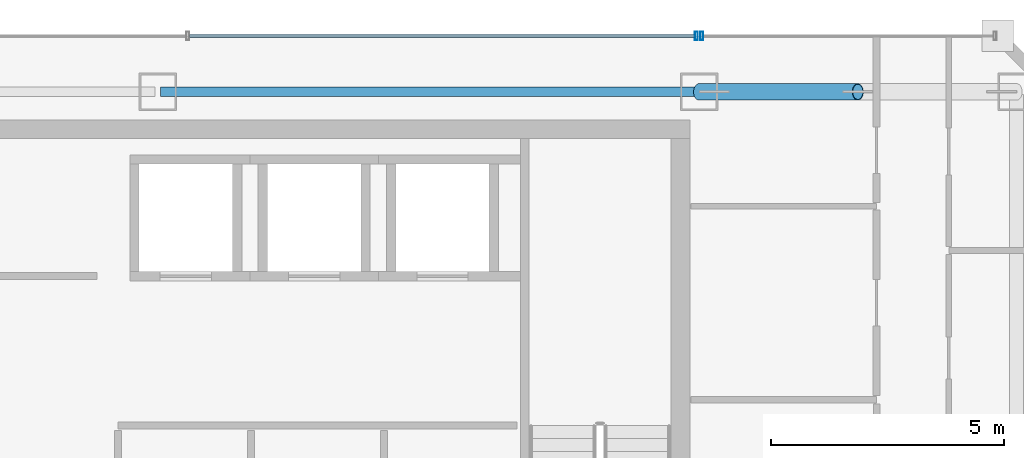
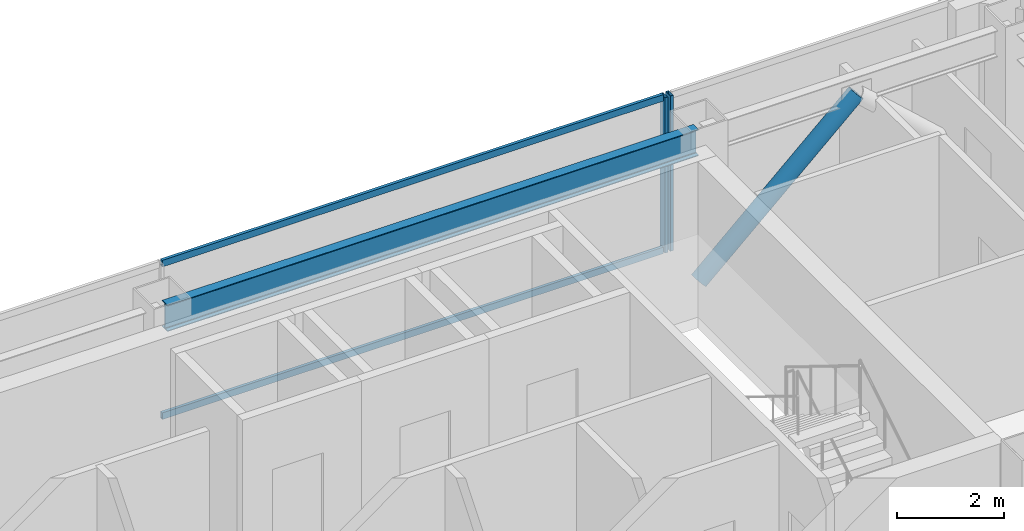
# One storey, part 22 of 33: 5 members, 1 beam, 2 elements without a shape of their own.
"""IFC4 building model written with IfcOpenShell, lengths in metres."""

from ifc_helpers import new_model, si_unit, direction, frame, origin, origin_2d, place, context, subcontext, project, spatial, hollow_rectangle, hollow_circle, i_section, extrude, material, material_profile, profile_set, type_object, element, aggregate, save


model = new_model("IFC4")

# Units and contexts
model_context = context("Model", 3, precision=1e-05, world=origin(), true_north=direction((0.0, 1.0)))
body_context = subcontext(model_context, "Body", "Model", "MODEL_VIEW")
ifc_project = project(units=[si_unit("LENGTHUNIT", "METRE"), si_unit("AREAUNIT", "SQUARE_METRE"), si_unit("VOLUMEUNIT", "CUBIC_METRE"), si_unit("PLANEANGLEUNIT", "RADIAN"), si_unit("MASSUNIT", "GRAM", prefix="KILO")], contexts=[model_context])

# Site, building, storey
site_placement = place(None, origin())
site = spatial("IfcSite", under=ifc_project, at=site_placement, CompositionType="ELEMENT")
building_placement = place(site_placement, origin())
building = spatial("IfcBuilding", under=site, at=building_placement, Name="Saevonmaru Cultural Tower", CompositionType="ELEMENT")
storey_placement = place(building_placement, frame((0.0, 0.0, 234.39990234375)))
storey = spatial("IfcBuildingStorey", under=building, at=storey_placement, Name="L54", CompositionType="ELEMENT", Elevation=234.39990234375)

# Beam
ifc_material_1 = material(Name="Steel SM355", Category="steel")
ifc_material_profile_1 = material_profile(ifc_material_1, i_section(OverallWidth=0.199951171875, OverallDepth=0.60009765625, WebThickness=0.010986328125, FlangeThickness=0.01708984375, FilletRadius=0.02197265625, at=origin_2d()), Name="H-600x200x11x17")
ifc_profile_set_1 = profile_set([ifc_material_profile_1], Name="Steel SM355")
beam_type = type_object("IfcBeamType", Name="BM-SP-H600", PredefinedType="SPANDREL", material=ifc_profile_set_1)
beam_placement = place(storey_placement, frame((34.860107421875, 54.800048828125, 3.25), z_axis=(1.0, 0.0, 0.0), x_axis=(0.0, 1.0, 0.0)))
element("IfcBeam", 1, at=beam_placement, inside=storey, type_object=beam_type, Name="L54 North Spine Girder 4", PredefinedType="SPANDREL", context=body_context, shape_type="SweptSolid", body=[
    extrude(i_section(OverallWidth=0.199951171875, OverallDepth=0.60009765625, WebThickness=0.010986328125, FlangeThickness=0.01708984375, FilletRadius=0.02197265625, at=origin_2d()), origin(), (0.0, 0.0, 1.0), 11.47998046875),
])

# Member
ifc_material_profile_2 = material_profile(ifc_material_1, hollow_circle(Radius=0.177734375, WallThickness=0.01611328125, at=origin_2d()), Name="CHS-355.6x16")
ifc_profile_set_2 = profile_set([ifc_material_profile_2], Name="Steel SM355")
member_type_1 = type_object("IfcMemberType", Name="MB-PBR-CHS356", PredefinedType="BRACE", material=ifc_profile_set_2)
member_1_placement = place(storey_placement, frame((46.39990234375, 54.800048828125, 0.02001953125), z_axis=(0.738959728749, 0.0, 0.673749596873), x_axis=(0.0, 1.0, 0.0)))
element("IfcMember", 2, at=member_1_placement, inside=storey, type_object=member_type_1, Name="L54 Perimeter Braced-Tube Diagonal EN1", PredefinedType="BRACE", context=body_context, shape_type="SweptSolid", body=[
    extrude(hollow_circle(Radius=0.177734375, WallThickness=0.01611328125, at=origin_2d()), origin(), (0.0, 0.0, 1.0), 4.601318359375),
])

# Curtain wall, member
ifc_material_2 = material(Name="Satin Bronze Anodised Aluminium", Category="aluminium")
curtain_wall_type = type_object("IfcCurtainWallType", Name="CW-TYP-B", PredefinedType="NOTDEFINED", material=ifc_material_2)
curtain_wall_1_placement = place(storey_placement, origin())
curtain_wall_1 = element("IfcCurtainWall", 3, at=curtain_wall_1_placement, inside=storey, type_object=curtain_wall_type, Name="L54 East Braced Bay Spandrel Curtain Wall E10A", PredefinedType="NOTDEFINED")
ifc_material_profile_3 = material_profile(ifc_material_2, hollow_rectangle(XDim=0.06494140625, YDim=0.179931640625, WallThickness=0.00390625, at=origin_2d()), Name="ALU-MULL-180x65x4")
ifc_profile_set_3 = profile_set([ifc_material_profile_3], Name="Satin Bronze Anodised Aluminium")
member_type_2 = type_object("IfcMemberType", Name="ML-CW-180x65", PredefinedType="MULLION", material=ifc_profile_set_3)
member_2_placement = place(storey_placement, frame((46.4599609375, 56.0, 0.0), z_axis=(0.0, 0.0, 1.0), x_axis=(-1.0, 0.0, 0.0)))
member_2 = element("IfcMember", 4, at=member_2_placement, type_object=member_type_2, Name="CW-TW-L54-E10A mullion 2", PredefinedType="MULLION", context=body_context, shape_type="SweptSolid", body=[
    extrude(hollow_rectangle(XDim=0.06494140625, YDim=0.179931640625, WallThickness=0.00390625, at=origin_2d()), origin(), (0.0, 0.0, 1.0), 3.550048828125),
])
aggregate(curtain_wall_1, [member_2])

# Curtain wall, members
curtain_wall_2_placement = place(storey_placement, origin())
curtain_wall_2 = element("IfcCurtainWall", 5, at=curtain_wall_2_placement, inside=storey, type_object=curtain_wall_type, Name="L54 North Spine Unitised Curtain Wall E10B", PredefinedType="NOTDEFINED")
member_3_placement = place(storey_placement, frame((46.340087890625, 56.0, 0.0), z_axis=(0.0, 0.0, 1.0), x_axis=(-1.0, 0.0, 0.0)))
member_3 = element("IfcMember", 6, at=member_3_placement, type_object=member_type_2, Name="CW-TW-L54-E10B mullion 1", PredefinedType="MULLION", context=body_context, shape_type="SweptSolid", body=[
    extrude(hollow_rectangle(XDim=0.06494140625, YDim=0.179931640625, WallThickness=0.00390625, at=origin_2d()), origin(), (0.0, 0.0, 1.0), 3.550048828125),
])
ifc_material_profile_4 = material_profile(ifc_material_2, hollow_rectangle(XDim=0.06494140625, YDim=0.14990234375, WallThickness=0.00390625, at=origin_2d()), Name="ALU-TRAN-150x65x4")
ifc_profile_set_4 = profile_set([ifc_material_profile_4], Name="Satin Bronze Anodised Aluminium")
member_type_3 = type_object("IfcMemberType", Name="TR-CW-150x65", PredefinedType="USERDEFINED", material=ifc_profile_set_4)
member_4_placement = place(storey_placement, frame((46.3076171875, 56.0, 0.03271484375), z_axis=(-1.0, 0.0, 0.0), x_axis=(0.0, -1.0, 0.0)))
member_4 = element("IfcMember", 7, at=member_4_placement, type_object=member_type_3, Name="CW-TW-L54-E10B transom 1.1", ObjectType="TRANSOM", PredefinedType="USERDEFINED", context=body_context, shape_type="SweptSolid", body=[
    extrude(hollow_rectangle(XDim=0.06494140625, YDim=0.14990234375, WallThickness=0.00390625, at=origin_2d()), origin(), (0.0, 0.0, 1.0), 10.828369140625),
])
member_5_placement = place(storey_placement, frame((46.3076171875, 56.0, 3.517578125), z_axis=(-1.0, 0.0, 0.0), x_axis=(0.0, -1.0, 0.0)))
member_5 = element("IfcMember", 8, at=member_5_placement, type_object=member_type_3, Name="CW-TW-L54-E10B transom 1.2", ObjectType="TRANSOM", PredefinedType="USERDEFINED", context=body_context, shape_type="SweptSolid", body=[
    extrude(hollow_rectangle(XDim=0.06494140625, YDim=0.14990234375, WallThickness=0.00390625, at=origin_2d()), origin(), (0.0, 0.0, 1.0), 10.828369140625),
])
aggregate(curtain_wall_2, [member_3, member_4, member_5])

save(model, "model.ifc")
